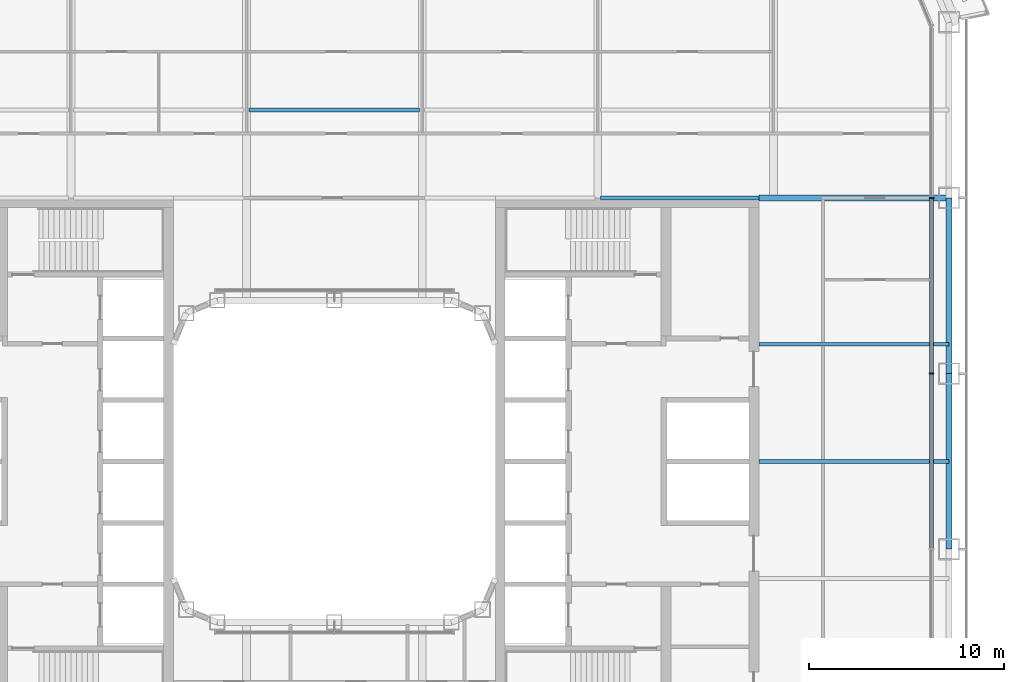
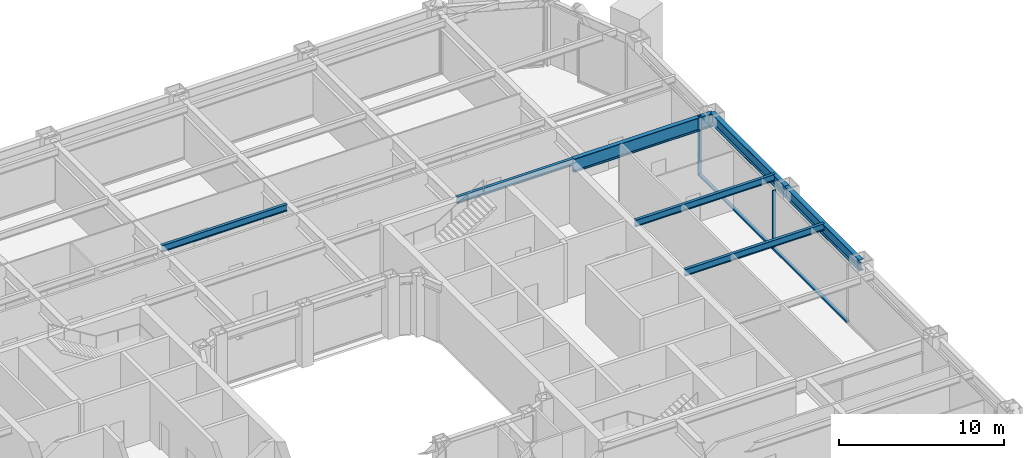
# One storey, part 9 of 30: 7 beams, 4 members, 1 element without a shape of its own.
"""IFC4 building model written with IfcOpenShell, lengths in metres."""

import ifcopenshell
import ifcopenshell.guid

model = None  # the IFC model being written
_history = None  # IfcOwnerHistory: only IFC2X3 demands one
_inside = {}  # id of a spatial element -> (the spatial element, [elements in it])
_under = {}  # id of a project, library or spatial element -> (it, [spatial elements below it])
_declared = {}  # id of a project -> (the project, [libraries it declares])
_typed = {}  # id of a type object -> (the type object, [elements of that type])
_made_of = {}  # id of a material, layer set ... -> (it, [elements and type objects made of it])


def new_model(schema):
    """Start an empty IFC model of exactly this schema.

    Asked for "IFC4X3", IfcOpenShell would pick the latest addendum, in which some entities
    have other attributes; the version numbers below select the first issue.
    IFC2X3 requires an IfcOwnerHistory on every rooted entity: one is made here for all.
    """
    global model, _history
    if schema == "IFC4X3":
        model = ifcopenshell.file(schema_version=(4, 3, 0, 0))
    else:
        model = ifcopenshell.file(schema=schema)
    _inside.clear()
    _under.clear()
    _declared.clear()
    _typed.clear()
    _made_of.clear()
    _history = None
    if model.schema == "IFC2X3":
        org = make("IfcOrganization", Name="unknown")
        user = make(
            "IfcPersonAndOrganization",
            ThePerson=make("IfcPerson", FamilyName="unknown"),
            TheOrganization=org,
        )
        app = make(
            "IfcApplication",
            ApplicationDeveloper=org,
            Version="unknown",
            ApplicationFullName="unknown",
            ApplicationIdentifier="unknown",
        )
        _history = make(
            "IfcOwnerHistory",
            OwningUser=user,
            OwningApplication=app,
            ChangeAction="ADDED",
            CreationDate=0,
        )
    return model


def make(cls, **values):
    """One entity of the class cls with the attributes given. An attribute that is None is left unset."""
    return model.create_entity(
        cls, **{name: value for name, value in values.items() if value is not None}
    )


def rooted(cls, **values):
    """An entity with a GlobalId (a new one), such as an element, a storey or a relation."""
    return make(cls, GlobalId=ifcopenshell.guid.new(), OwnerHistory=_history, **values)


def si_unit(unit_type, name, prefix=None):
    """IfcSIUnit, for example si_unit("LENGTHUNIT", "METRE", prefix="MILLI")."""
    return make("IfcSIUnit", UnitType=unit_type, Prefix=prefix, Name=name)


def assignment(units):
    """IfcUnitAssignment: the units of a project."""
    return None if units is None else make("IfcUnitAssignment", Units=units)


def point(xyz):
    """IfcCartesianPoint."""
    return None if xyz is None else make("IfcCartesianPoint", Coordinates=xyz)


def direction(xyz):
    """IfcDirection."""
    return None if xyz is None else make("IfcDirection", DirectionRatios=xyz)


def frame(location, z_axis=None, x_axis=None):
    """IfcAxis2Placement3D, a coordinate frame: its origin and axes. An axis left out is left unset."""
    return make(
        "IfcAxis2Placement3D",
        Location=point(location),
        Axis=direction(z_axis),
        RefDirection=direction(x_axis),
    )


def frame_2d(location, x_axis=None):
    """IfcAxis2Placement2D, a coordinate frame in the plane: its origin and x axis."""
    return make(
        "IfcAxis2Placement2D", Location=point(location), RefDirection=direction(x_axis)
    )


def origin():
    """The frame at (0, 0, 0) with its axes left unset."""
    return frame((0.0, 0.0, 0.0))


def origin_2d():
    """The frame at (0, 0) in the plane with its x axis left unset."""
    return frame_2d((0.0, 0.0))


def place(relative_to, where):
    """IfcLocalPlacement: puts the frame where relative to a parent placement (None: the world)."""
    return make(
        "IfcLocalPlacement", PlacementRelTo=relative_to, RelativePlacement=where
    )


def context(
    kind, dimensions, precision=None, world=None, true_north=None, identifier=None
):
    """IfcGeometricRepresentationContext, for example the 3D "Model" context."""
    return make(
        "IfcGeometricRepresentationContext",
        ContextIdentifier=identifier,
        ContextType=kind,
        CoordinateSpaceDimension=dimensions,
        Precision=precision,
        WorldCoordinateSystem=world,
        TrueNorth=true_north,
    )


def subcontext(parent, identifier, kind, view, scale=None):
    """IfcGeometricRepresentationSubContext, for example "Body" below "Model"."""
    return make(
        "IfcGeometricRepresentationSubContext",
        ContextIdentifier=identifier,
        ContextType=kind,
        ParentContext=parent,
        TargetScale=scale,
        TargetView=view,
    )


def project(units=None, contexts=None):
    """IfcProject with its units and contexts."""
    return rooted(
        "IfcProject",
        Name="project",
        RepresentationContexts=contexts,
        UnitsInContext=assignment(units),
    )


def spatial(cls, under=None, at=None, **own):
    """A site, building, storey or space (cls), placed at a placement, below another one or the project."""
    s = rooted(cls, ObjectPlacement=at, **own)
    if under is not None:
        _under.setdefault(under.id(), (under, []))[1].append(s)
    return s


def profile(cls, at=None, kind="AREA", **sizes):
    """A parametric profile (cls). Its sizes go by their IFC names, for example OverallWidth=200.0."""
    return make(cls, ProfileType=kind, Position=at, **sizes)


def rectangle(**sizes):
    """IfcRectangleProfileDef."""
    return profile("IfcRectangleProfileDef", **sizes)


def i_section(**sizes):
    """IfcIShapeProfileDef."""
    return profile("IfcIShapeProfileDef", **sizes)


def extrude(swept, where, along, depth):
    """IfcExtrudedAreaSolid: the profile swept, set in the frame where, extruded along a direction by depth."""
    return make(
        "IfcExtrudedAreaSolid",
        SweptArea=swept,
        Position=where,
        ExtrudedDirection=direction(along),
        Depth=depth,
    )


def shape(context_of_items, identifier, shape_type, items):
    """IfcShapeRepresentation: the items that make up one representation, for example the "Body"."""
    return make(
        "IfcShapeRepresentation",
        ContextOfItems=context_of_items,
        RepresentationIdentifier=identifier,
        RepresentationType=shape_type,
        Items=items,
    )


def material(Name=None, Category=None):
    """IfcMaterial."""
    return make("IfcMaterial", Name=Name, Category=Category)


def layer(
    of_material, thickness, ventilated=None, Name=None, Category=None, Priority=None
):
    """IfcMaterialLayer: one layer of a wall or slab, of a material (None: an air gap)."""
    return make(
        "IfcMaterialLayer",
        Material=of_material,
        LayerThickness=thickness,
        IsVentilated=ventilated,
        Name=Name,
        Category=Category,
        Priority=Priority,
    )


def layer_set(layers, Name=None):
    """IfcMaterialLayerSet."""
    return make("IfcMaterialLayerSet", MaterialLayers=layers, LayerSetName=Name)


def material_profile(
    of_material, cross_section, Name=None, Category=None, Priority=None
):
    """IfcMaterialProfile: a cross section and its material."""
    return make(
        "IfcMaterialProfile",
        Name=Name,
        Material=of_material,
        Profile=cross_section,
        Priority=Priority,
        Category=Category,
    )


def profile_set(profiles, Name=None, composite=None):
    """IfcMaterialProfileSet."""
    return make(
        "IfcMaterialProfileSet",
        Name=Name,
        MaterialProfiles=profiles,
        CompositeProfile=composite,
    )


def made_of(thing, what):
    """Note that an element or type object is made of a material, layer set ...; save() writes the relation."""
    if what is not None:
        _made_of.setdefault(what.id(), (what, []))[1].append(thing)
    return thing


def type_object(cls, material=None, **own):
    """A type object (cls), such as IfcWallType, which elements share."""
    return made_of(rooted(cls, **own), material)


def element(
    cls,
    number,
    at=None,
    inside=None,
    cuts=None,
    type_object=None,
    material=None,
    context=None,
    identifier="Body",
    shape_type=None,
    held_by="IfcProductDefinitionShape",
    body=None,
    shapes=None,
    **own,
):
    """One element of the class cls, such as IfcWall. Its Tag is "e" and its number.

    at: its placement. inside: the storey or other place that contains it. cuts: it is an
    opening in that element (IfcRelVoidsElement). A single representation is given by context,
    identifier, shape_type and body (its items); several are given by shapes. held_by: the class
    of the entity that holds the representations. save() writes the other relations.
    """
    e = rooted(cls, Tag="e%d" % number, ObjectPlacement=at, **own)
    if body is not None:
        shapes = [shape(context, identifier, shape_type, body)]
    if shapes is not None:
        e.Representation = make(held_by, Representations=shapes)
    if inside is not None:
        _inside.setdefault(inside.id(), (inside, []))[1].append(e)
    if cuts is not None:
        rooted(
            "IfcRelVoidsElement", RelatingBuildingElement=cuts, RelatedOpeningElement=e
        )
    if type_object is not None:
        _typed.setdefault(type_object.id(), (type_object, []))[1].append(e)
    return made_of(e, material)


def aggregate(whole, parts):
    """IfcRelAggregates: a whole, such as a stair, and the parts it consists of."""
    return rooted("IfcRelAggregates", RelatingObject=whole, RelatedObjects=parts)


def save(model, path):
    """Write the relations noted so far, then the file.

    IfcRelAggregates (storeys below a building ...), IfcRelContainedInSpatialStructure (elements
    in a storey), IfcRelDefinesByType, IfcRelAssociatesMaterial and IfcRelDeclares: one each for
    every whole, place, type object, material and project.
    """
    for whole, parts in _under.values():
        aggregate(whole, parts)
    for where, things in _inside.values():
        rooted(
            "IfcRelContainedInSpatialStructure",
            RelatedElements=things,
            RelatingStructure=where,
        )
    for kind, things in _typed.values():
        rooted("IfcRelDefinesByType", RelatedObjects=things, RelatingType=kind)
    for what, things in _made_of.values():
        rooted("IfcRelAssociatesMaterial", RelatedObjects=things, RelatingMaterial=what)
    for by, libraries in _declared.values():
        rooted("IfcRelDeclares", RelatingContext=by, RelatedDefinitions=libraries)
    model.write(path)


model = new_model("IFC4")

# Units and contexts
model_context = context("Model", 3, precision=1e-05, world=origin(), true_north=direction((0.0, 1.0)))
body_context = subcontext(model_context, "Body", "Model", "MODEL_VIEW")
ifc_project = project(units=[si_unit("LENGTHUNIT", "METRE"), si_unit("AREAUNIT", "SQUARE_METRE"), si_unit("VOLUMEUNIT", "CUBIC_METRE"), si_unit("PLANEANGLEUNIT", "RADIAN"), si_unit("MASSUNIT", "GRAM", prefix="KILO")], contexts=[model_context])

# Site, building, storey
site_placement = place(None, origin())
site = spatial("IfcSite", under=ifc_project, at=site_placement, CompositionType="ELEMENT")
building_placement = place(site_placement, origin())
building = spatial("IfcBuilding", under=site, at=building_placement, Name="Siwar Civic Tower", CompositionType="ELEMENT")
storey_placement = place(building_placement, frame((0.0, 0.0, 44.699951171875)))
storey = spatial("IfcBuildingStorey", under=building, at=storey_placement, Name="L09", CompositionType="ELEMENT", Elevation=44.699951171875)

# Curtain wall, members
ifc_material_1 = material(Name="Aluminium and glass", Category="aluminium")
ifc_layer = layer(ifc_material_1, 0.219970703125)
ifc_layer_set = layer_set([ifc_layer], Name="Aluminium and glass")
curtain_wall_type = type_object("IfcCurtainWallType", Name="ENV-CW-A", PredefinedType="NOTDEFINED", material=ifc_layer_set)
curtain_wall_placement = place(storey_placement, origin())
curtain_wall = element("IfcCurtainWall", 1, at=curtain_wall_placement, inside=storey, type_object=curtain_wall_type, Name="Curtain wall A E", PredefinedType="NOTDEFINED")
ifc_material_2 = material(Name="Aluminium 6063-T6", Category="aluminium")
ifc_material_profile_1 = material_profile(ifc_material_2, rectangle(XDim=0.219970703125, YDim=0.070068359375, at=origin_2d()), Name="AL 220x70")
ifc_profile_set_1 = profile_set([ifc_material_profile_1], Name="Aluminium 6063-T6")
member_type_1 = type_object("IfcMemberType", Name="ENV-MULLION-A", PredefinedType="MULLION", material=ifc_profile_set_1)
member_1_placement = place(storey_placement, frame((30.60009765625, 4.5, 0.0), z_axis=(0.0, 0.0, 1.0), x_axis=(-1.0, 0.0, 0.0)))
member_1 = element("IfcMember", 2, at=member_1_placement, type_object=member_type_1, Name="Mullion A E 4", PredefinedType="MULLION", context=body_context, shape_type="SweptSolid", body=[
    extrude(rectangle(XDim=0.219970703125, YDim=0.070068359375, at=origin_2d()), origin(), (0.0, 0.0, 1.0), 4.35009765625),
])
member_2_placement = place(storey_placement, frame((30.60009765625, 13.5, 0.0), z_axis=(0.0, 0.0, 1.0), x_axis=(-1.0, 0.0, 0.0)))
member_2 = element("IfcMember", 3, at=member_2_placement, type_object=member_type_1, Name="Mullion A E 5", PredefinedType="MULLION", context=body_context, shape_type="SweptSolid", body=[
    extrude(rectangle(XDim=0.219970703125, YDim=0.070068359375, at=origin_2d()), origin(), (0.0, 0.0, 1.0), 4.35009765625),
])
ifc_material_3 = material(Name="Aluminium 6063-T6", Category="aluminium")
ifc_material_profile_2 = material_profile(ifc_material_3, rectangle(XDim=0.219970703125, YDim=0.1201171875, at=origin_2d()), Name="AL 220x120")
ifc_profile_set_2 = profile_set([ifc_material_profile_2], Name="Aluminium 6063-T6")
member_type_2 = type_object("IfcMemberType", Name="ENV-TRANSOM-A", PredefinedType="USERDEFINED", material=ifc_profile_set_2)
member_3_placement = place(storey_placement, frame((30.60009765625, -4.465087890625, 0.06005859375), z_axis=(0.0, 1.0, 0.0), x_axis=(-1.0, 0.0, 0.0)))
member_3 = element("IfcMember", 4, at=member_3_placement, type_object=member_type_2, Name="Transom A E 3", ObjectType="TRANSOM", PredefinedType="USERDEFINED", context=body_context, shape_type="SweptSolid", body=[
    extrude(rectangle(XDim=0.219970703125, YDim=0.1201171875, at=origin_2d()), origin(), (0.0, 0.0, 1.0), 8.93017578125),
])
member_4_placement = place(storey_placement, frame((30.60009765625, 4.534912109375, 0.06005859375), z_axis=(0.0, 1.0, 0.0), x_axis=(-1.0, 0.0, 0.0)))
member_4 = element("IfcMember", 5, at=member_4_placement, type_object=member_type_2, Name="Transom A E 4", ObjectType="TRANSOM", PredefinedType="USERDEFINED", context=body_context, shape_type="SweptSolid", body=[
    extrude(rectangle(XDim=0.219970703125, YDim=0.1201171875, at=origin_2d()), origin(), (0.0, 0.0, 1.0), 8.93017578125),
])
aggregate(curtain_wall, [member_1, member_2, member_3, member_4])

# Beams
ifc_material_4 = material(Name="Steel S355", Category="steel")
ifc_material_profile_3 = material_profile(ifc_material_4, i_section(OverallWidth=0.199951171875, OverallDepth=0.5, WebThickness=0.01025390625, FlangeThickness=0.01611328125, FilletRadius=0.02099609375, at=origin_2d()), Name="IPE500")
ifc_profile_set_3 = profile_set([ifc_material_profile_3], Name="Steel S355")
beam_type_1 = type_object("IfcBeamType", Name="STR-FB-IPE500", PredefinedType="JOIST", material=ifc_profile_set_3)
for number, where, z_axis, x_axis, name in (
    (6, (21.75, 0.0, 4.10009765625), (1.0, 0.0, 0.0), (0.0, 1.0, 0.0), "L09/bm/F034"),
    (7, (21.75, 6.0, 4.10009765625), (1.0, 0.0, 0.0), (0.0, 1.0, 0.0), "L09/bm/F036"),
):
    element("IfcBeam", number, at=place(storey_placement, frame(where, z_axis=z_axis, x_axis=x_axis)), inside=storey, type_object=beam_type_1, Name=name, PredefinedType="JOIST", context=body_context, shape_type="SweptSolid", body=[
        extrude(i_section(OverallWidth=0.199951171875, OverallDepth=0.5, WebThickness=0.01025390625, FlangeThickness=0.01611328125, FilletRadius=0.02099609375, at=origin_2d()), origin(), (0.0, 0.0, 1.0), 9.75),
    ])
beam_1_placement = place(storey_placement, frame((13.6298828125, 13.5, 4.10009765625), z_axis=(1.0, 0.0, 0.0), x_axis=(0.0, 1.0, 0.0)))
element("IfcBeam", 8, at=beam_1_placement, inside=storey, type_object=beam_type_1, Name="L09/bm/F044", PredefinedType="JOIST", context=body_context, shape_type="SweptSolid", body=[
    extrude(i_section(OverallWidth=0.199951171875, OverallDepth=0.5, WebThickness=0.01025390625, FlangeThickness=0.01611328125, FilletRadius=0.02099609375, at=origin_2d()), origin(), (0.0, 0.0, 1.0), 8.1201171875),
])
beam_2_placement = place(storey_placement, frame((-4.3701171875, 18.0, 4.10009765625), z_axis=(1.0, 0.0, 0.0), x_axis=(0.0, 1.0, 0.0)))
element("IfcBeam", 9, at=beam_2_placement, inside=storey, type_object=beam_type_1, Name="L09/bm/F049", PredefinedType="JOIST", context=body_context, shape_type="SweptSolid", body=[
    extrude(i_section(OverallWidth=0.199951171875, OverallDepth=0.5, WebThickness=0.01025390625, FlangeThickness=0.01611328125, FilletRadius=0.02099609375, at=origin_2d()), origin(), (0.0, 0.0, 1.0), 8.740234375),
])
ifc_material_5 = material(Name="Steel S355", Category="steel")
ifc_material_profile_4 = material_profile(ifc_material_5, i_section(OverallWidth=0.300048828125, OverallDepth=1.0, WebThickness=0.01904296875, FlangeThickness=0.035888671875, FilletRadius=0.030029296875, at=origin_2d()), Name="HEB1000")
ifc_profile_set_4 = profile_set([ifc_material_profile_4], Name="Steel S355")
beam_type_2 = type_object("IfcBeamType", Name="STR-PG-HEB1000", PredefinedType="BEAM", material=ifc_profile_set_4)
beam_3_placement = place(storey_placement, frame((21.75, 13.5, 3.85009765625), z_axis=(1.0, 0.0, 0.0), x_axis=(0.0, 1.0, 0.0)))
element("IfcBeam", 10, at=beam_3_placement, inside=storey, type_object=beam_type_2, Name="L09/bm/F045", PredefinedType="BEAM", context=body_context, shape_type="SweptSolid", body=[
    extrude(i_section(OverallWidth=0.300048828125, OverallDepth=1.0, WebThickness=0.01904296875, FlangeThickness=0.035888671875, FilletRadius=0.030029296875, at=origin_2d()), origin(), (0.0, 0.0, 1.0), 9.75),
])
ifc_material_6 = material(Name="Steel S355", Category="steel")
ifc_material_profile_5 = material_profile(ifc_material_6, i_section(OverallWidth=0.302978515625, OverallDepth=0.81396484375, WebThickness=0.02099609375, FlangeThickness=0.0400390625, FilletRadius=0.030029296875, at=origin_2d()), Name="HEM800")
ifc_profile_set_5 = profile_set([ifc_material_profile_5], Name="Steel S355")
beam_type_3 = type_object("IfcBeamType", Name="STR-SB-HEM800", PredefinedType="BEAM", material=ifc_profile_set_5)
for number, where, z_axis, x_axis, name in (
    (11, (31.5, -4.5, 3.943115234375), (0.0, 1.0, 0.0), (-1.0, 0.0, 0.0), "L09/bm/SE-2"),
    (12, (31.5, 4.5, 3.943115234375), (0.0, 1.0, 0.0), (-1.0, 0.0, 0.0), "L09/bm/SE-3"),
):
    element("IfcBeam", number, at=place(storey_placement, frame(where, z_axis=z_axis, x_axis=x_axis)), inside=storey, type_object=beam_type_3, Name=name, PredefinedType="BEAM", context=body_context, shape_type="SweptSolid", body=[
        extrude(i_section(OverallWidth=0.302978515625, OverallDepth=0.81396484375, WebThickness=0.02099609375, FlangeThickness=0.0400390625, FilletRadius=0.030029296875, at=origin_2d()), origin(), (0.0, 0.0, 1.0), 9.0),
    ])

save(model, "model.ifc")
